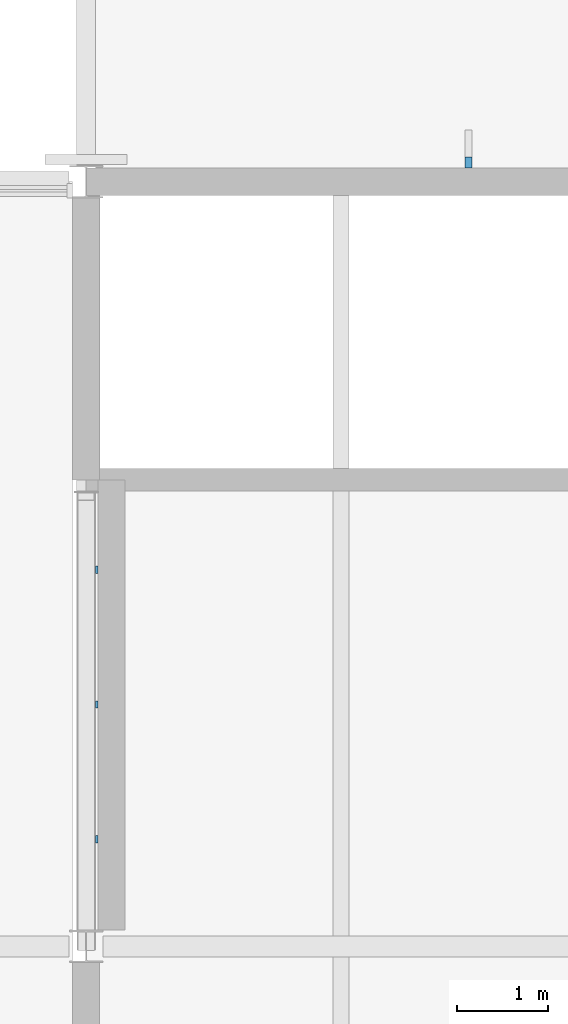
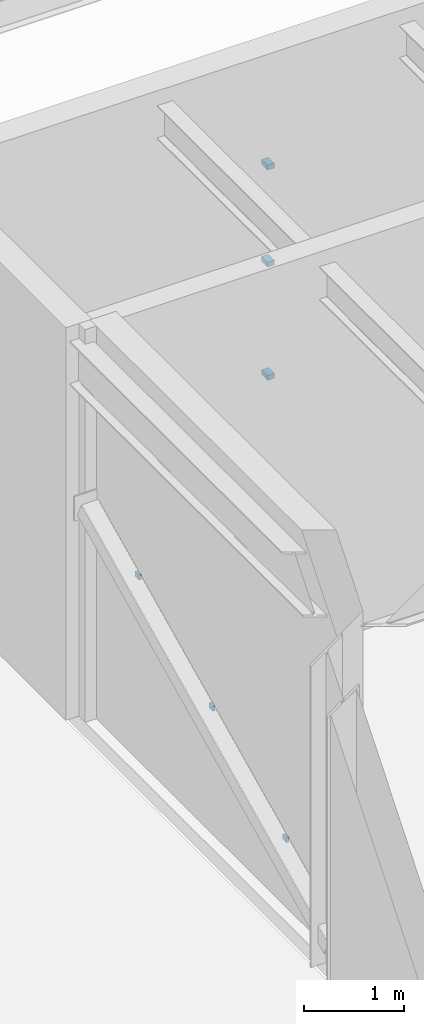
# One storey, part 96 of 116: 6 discrete accessories.
"""IFC4 building model written with IfcOpenShell, lengths in metres."""

from ifc_helpers import new_model, si_unit, direction, frame, origin, origin_2d, place, context, subcontext, project, spatial, rectangle, extrude, material, type_object, element, save


model = new_model("IFC4")

# Units and contexts
model_context = context("Model", 3, precision=1e-05, world=origin(), true_north=direction((0.0, 1.0)))
body_context = subcontext(model_context, "Body", "Model", "MODEL_VIEW")
ifc_project = project(units=[si_unit("LENGTHUNIT", "METRE"), si_unit("AREAUNIT", "SQUARE_METRE"), si_unit("VOLUMEUNIT", "CUBIC_METRE"), si_unit("PLANEANGLEUNIT", "RADIAN"), si_unit("MASSUNIT", "GRAM", prefix="KILO")], contexts=[model_context])

# Site, building, storey
site_placement = place(None, origin())
site = spatial("IfcSite", under=ifc_project, at=site_placement, CompositionType="ELEMENT")
building_placement = place(site_placement, origin())
building = spatial("IfcBuilding", under=site, at=building_placement, Name="Ljudholm Concert House", CompositionType="ELEMENT")
storey_placement = place(building_placement, frame((0.0, 0.0, 10.199951171875)))
storey = spatial("IfcBuildingStorey", under=building, at=storey_placement, Name="L02", CompositionType="ELEMENT", Elevation=10.199951171875)

# Discrete accessories
ifc_material_1 = material(Name="Stainless steel bracket", Category="steel")
discrete_accessory_type_1 = type_object("IfcDiscreteAccessoryType", Name="BRACKET 120", PredefinedType="BRACKET", material=ifc_material_1)
for number, where, z_axis, x_axis, name in (
    (1, (58.60009765625, 130.2099609375, 0.570068359375), (0.0, 0.0, 1.0), (0.0, 1.0, 0.0), "Fin bracket"),
    (2, (58.60009765625, 130.2099609375, 1.955078125), (0.0, 0.0, 1.0), (0.0, 1.0, 0.0), "Fin bracket"),
    (3, (58.60009765625, 130.2099609375, 3.14013671875), (0.0, 0.0, 1.0), (0.0, 1.0, 0.0), "Fin bracket"),
):
    element("IfcDiscreteAccessory", number, at=place(storey_placement, frame(where, z_axis=z_axis, x_axis=x_axis)), inside=storey, type_object=discrete_accessory_type_1, Name=name, PredefinedType="BRACKET", context=body_context, shape_type="SweptSolid", body=[
        extrude(rectangle(XDim=0.1201171875, YDim=0.080078125, at=origin_2d()), origin(), (0.0, 0.0, 1.0), 0.06005859375),
    ])
ifc_material_2 = material(Name="Stainless steel bracket", Category="steel")
discrete_accessory_type_2 = type_object("IfcDiscreteAccessoryType", Name="PANEL BRACKET", PredefinedType="BRACKET", material=ifc_material_2)
for number, where, z_axis, x_axis, name in (
    (4, (54.515625, 122.777099609375, 0.833251953125), (0.0, 0.0, 1.0), (1.0, 0.0, 0.0), "Panel bracket"),
    (5, (54.515625, 124.257568359375, 1.541748046875), (0.0, 0.0, 1.0), (1.0, 0.0, 0.0), "Panel bracket"),
    (6, (54.515625, 125.738037109375, 2.250244140625), (0.0, 0.0, 1.0), (1.0, 0.0, 0.0), "Panel bracket"),
):
    element("IfcDiscreteAccessory", number, at=place(storey_placement, frame(where, z_axis=z_axis, x_axis=x_axis)), inside=storey, type_object=discrete_accessory_type_2, Name=name, PredefinedType="BRACKET", context=body_context, shape_type="SweptSolid", body=[
        extrude(rectangle(XDim=0.028076171875, YDim=0.080078125, at=origin_2d()), origin(), (0.0, 0.0, 1.0), 0.06005859375),
    ])

save(model, "model.ifc")
